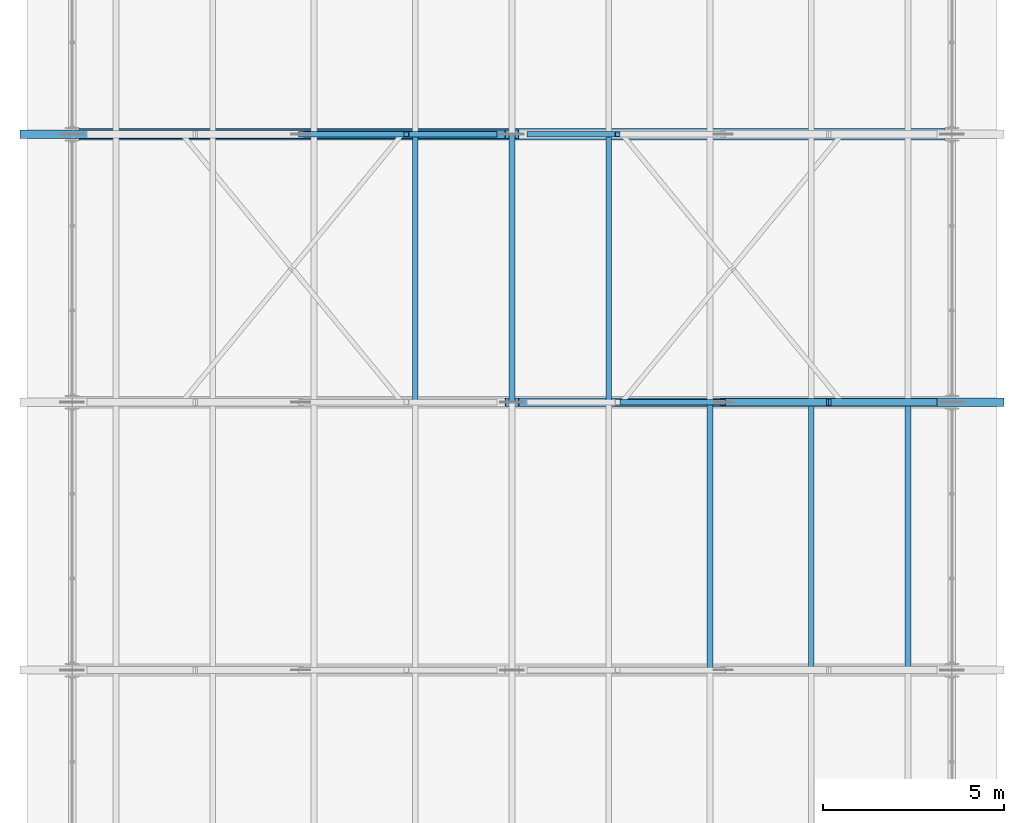
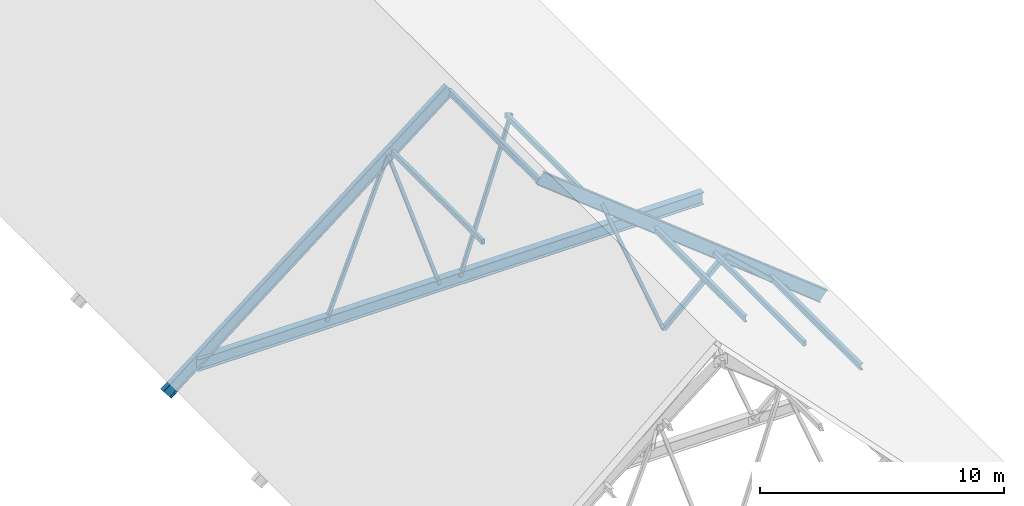
# One storey, part 17 of 44: 13 members, 2 beams.
"""IFC4 building model written with IfcOpenShell, lengths in metres."""

from ifc_helpers import new_model, si_unit, direction, frame, origin, origin_2d, place, context, subcontext, project, spatial, hollow_rectangle, i_section, extrude, material, material_profile, profile_set, type_object, element, save


model = new_model("IFC4")

# Units and contexts
model_context = context("Model", 3, precision=1e-05, world=origin(), true_north=direction((0.0, 1.0)))
body_context = subcontext(model_context, "Body", "Model", "MODEL_VIEW")
ifc_project = project(units=[si_unit("LENGTHUNIT", "METRE"), si_unit("AREAUNIT", "SQUARE_METRE"), si_unit("VOLUMEUNIT", "CUBIC_METRE"), si_unit("PLANEANGLEUNIT", "RADIAN"), si_unit("MASSUNIT", "GRAM", prefix="KILO")], contexts=[model_context])

# Site, building, storey
site_placement = place(None, origin())
site = spatial("IfcSite", under=ifc_project, at=site_placement, CompositionType="ELEMENT")
building_placement = place(site_placement, origin())
building = spatial("IfcBuilding", under=site, at=building_placement, Name="Cimatlan Art Gallery", CompositionType="ELEMENT")
storey_placement = place(building_placement, frame((0.0, 0.0, 26.39990234375)))
storey = spatial("IfcBuildingStorey", under=building, at=storey_placement, Name="Roof", CompositionType="ELEMENT", Elevation=26.39990234375)

# Beams
ifc_material_1 = material(Name="Steel ASTM A992 Grade 50", Category="steel")
ifc_material_profile_1 = material_profile(ifc_material_1, i_section(OverallWidth=0.22802734375, OverallDepth=0.60791015625, WebThickness=0.01123046875, FlangeThickness=0.017333984375, at=origin_2d()), Name="W24X76")
ifc_profile_set_1 = profile_set([ifc_material_profile_1], Name="Steel ASTM A992 Grade 50")
beam_type = type_object("IfcBeamType", Name="BM-TRS-RAF", PredefinedType="BEAM", material=ifc_profile_set_1)
beam_1_placement = place(storey_placement, frame((87.050048828125, 46.10009765625, 11.0), z_axis=(0.784632771217, 0.0, -0.619960816772), x_axis=(0.0, 1.0, 0.0)))
element("IfcBeam", 1, at=beam_1_placement, inside=storey, type_object=beam_type, Name="TRS-04-RAF-E", PredefinedType="BEAM", context=body_context, shape_type="SweptSolid", body=[
    extrude(i_section(OverallWidth=0.22802734375, OverallDepth=0.60791015625, WebThickness=0.01123046875, FlangeThickness=0.017333984375, at=origin_2d()), origin(), (0.0, 0.0, 1.0), 17.077880859375),
])
beam_2_placement = place(storey_placement, frame((73.64990234375, 53.5, 0.412353515625), z_axis=(0.78463826569, 0.0, 0.619953862812), x_axis=(0.0, 1.0, 0.0)))
element("IfcBeam", 2, at=beam_2_placement, inside=storey, type_object=beam_type, Name="TRS-05-RAF-W", PredefinedType="BEAM", context=body_context, shape_type="SweptSolid", body=[
    extrude(i_section(OverallWidth=0.22802734375, OverallDepth=0.60791015625, WebThickness=0.01123046875, FlangeThickness=0.017333984375, at=origin_2d()), origin(), (0.0, 0.0, 1.0), 17.078125),
])

# Members
ifc_material_2 = material(Name="Steel ASTM A500 Grade C", Category="steel")
ifc_material_profile_2 = material_profile(ifc_material_2, hollow_rectangle(XDim=0.14990234375, YDim=0.25, WallThickness=0.010009765625, at=origin_2d()), Name="HSS250X150X10")
ifc_profile_set_2 = profile_set([ifc_material_profile_2], Name="Steel ASTM A500 Grade C")
member_type_1 = type_object("IfcMemberType", Name="MBR-PUR-C250", PredefinedType="PURLIN", material=ifc_profile_set_2)
member_1_placement = place(storey_placement, frame((95.31201171875, 38.699951171875, 4.31201171875), z_axis=(0.0, 1.0, 0.0), x_axis=(-1.0, 0.0, 0.0)))
element("IfcMember", 3, at=member_1_placement, inside=storey, type_object=member_type_1, Name="PUR-V1-B3-E3", PredefinedType="PURLIN", context=body_context, shape_type="SweptSolid", body=[
    extrude(hollow_rectangle(XDim=0.14990234375, YDim=0.25, WallThickness=0.010009765625, at=origin_2d()), origin(), (0.0, 0.0, 1.0), 7.400146484375),
])
for number, where, z_axis, x_axis, name in (
    (4, (84.376953125, 46.10009765625, 8.72802734375), (0.0, 1.0, 0.0), (-1.0, 0.0, 0.0), "PUR-V1-B4-W1"),
    (5, (89.722900390625, 46.10009765625, 8.72802734375), (0.0, 1.0, 0.0), (-1.0, 0.0, 0.0), "PUR-V1-B4-E1"),
):
    element("IfcMember", number, at=place(storey_placement, frame(where, z_axis=z_axis, x_axis=x_axis)), inside=storey, type_object=member_type_1, Name=name, PredefinedType="PURLIN", context=body_context, shape_type="SweptSolid", body=[
        extrude(hollow_rectangle(XDim=0.14990234375, YDim=0.25, WallThickness=0.010009765625, at=origin_2d()), origin(), (0.0, 0.0, 1.0), 7.39990234375),
    ])
ifc_material_profile_3 = material_profile(ifc_material_1, i_section(OverallWidth=0.1650390625, OverallDepth=0.31005859375, WebThickness=0.005859375, FlangeThickness=0.009765625, at=origin_2d()), Name="W12X26")
ifc_profile_set_3 = profile_set([ifc_material_profile_3], Name="Steel ASTM A992 Grade 50")
member_type_2 = type_object("IfcMemberType", Name="MBR-PUR-W12", PredefinedType="PURLIN", material=ifc_profile_set_3)
for number, where, z_axis, x_axis, name in (
    (6, (92.517578125, 38.699951171875, 6.52001953125), (0.0, 1.0, 0.0), (-1.0, 0.0, 0.0), "PUR-V1-B3-E2"),
    (7, (97.985107421875, 38.699951171875, 2.2001953125), (0.0, 1.0, 0.0), (-1.0, 0.0, 0.0), "PUR-V1-B3-E4"),
):
    element("IfcMember", number, at=place(storey_placement, frame(where, z_axis=z_axis, x_axis=x_axis)), inside=storey, type_object=member_type_2, Name=name, PredefinedType="PURLIN", context=body_context, shape_type="SweptSolid", body=[
        extrude(i_section(OverallWidth=0.1650390625, OverallDepth=0.31005859375, WebThickness=0.005859375, FlangeThickness=0.009765625, at=origin_2d()), origin(), (0.0, 0.0, 1.0), 7.400146484375),
    ])
member_2_placement = place(storey_placement, frame((87.050048828125, 46.10009765625, 10.820068359375), z_axis=(0.0, 1.0, 0.0), x_axis=(-1.0, 0.0, 0.0)))
element("IfcMember", 8, at=member_2_placement, inside=storey, type_object=member_type_2, Name="PUR-V1-B4-RDG", PredefinedType="PURLIN", context=body_context, shape_type="SweptSolid", body=[
    extrude(i_section(OverallWidth=0.1650390625, OverallDepth=0.31005859375, WebThickness=0.005859375, FlangeThickness=0.009765625, at=origin_2d()), origin(), (0.0, 0.0, 1.0), 7.39990234375),
])
ifc_material_profile_4 = material_profile(ifc_material_2, hollow_rectangle(XDim=0.199951171875, YDim=0.199951171875, WallThickness=0.010009765625, at=origin_2d()), Name="HSS200X200X10")
ifc_profile_set_4 = profile_set([ifc_material_profile_4], Name="Steel ASTM A500 Grade C")
member_type_3 = type_object("IfcMemberType", Name="MBR-TRS-DIAG-1", PredefinedType="BRACE", material=ifc_profile_set_4)
for number, where, z_axis, x_axis, name in (
    (9, (98.714111328125, 46.10009765625, 1.400146484375), (-0.735270574228, 0.0, 0.677773695768), (0.0, -1.0, 0.0), "TRS-04-DE-1"),
    (10, (95.798095703125, 46.10009765625, 4.088134765625), (-0.735270574228, 0.0, -0.677773695768), (0.0, -1.0, 0.0), "TRS-04-DE-2"),
):
    element("IfcMember", number, at=place(storey_placement, frame(where, z_axis=z_axis, x_axis=x_axis)), inside=storey, type_object=member_type_3, Name=name, PredefinedType="BRACE", context=body_context, shape_type="SweptSolid", body=[
        extrude(hollow_rectangle(XDim=0.199951171875, YDim=0.199951171875, WallThickness=0.010009765625, at=origin_2d()), origin(), (0.0, 0.0, 1.0), 3.9658203125),
    ])
ifc_material_profile_5 = material_profile(ifc_material_2, hollow_rectangle(XDim=0.14990234375, YDim=0.14990234375, WallThickness=0.008056640625, at=origin_2d()), Name="HSS150X150X8")
ifc_profile_set_5 = profile_set([ifc_material_profile_5], Name="Steel ASTM A500 Grade C")
member_type_4 = type_object("IfcMemberType", Name="MBR-TRS-DIAG-2", PredefinedType="BRACE", material=ifc_profile_set_5)
for number, where, z_axis, x_axis, name in (
    (11, (92.882080078125, 46.10009765625, 1.400146484375), (-0.371133507913, 0.0, 0.928579516953), (0.0, -1.0, 0.0), "TRS-04-DE-3"),
    (12, (81.218017578125, 53.5, 1.400146484375), (0.371133507913, 0.0, 0.928579516953), (0.0, 1.0, 0.0), "TRS-05-DW-3"),
):
    element("IfcMember", number, at=place(storey_placement, frame(where, z_axis=z_axis, x_axis=x_axis)), inside=storey, type_object=member_type_4, Name=name, PredefinedType="BRACE", context=body_context, shape_type="SweptSolid", body=[
        extrude(hollow_rectangle(XDim=0.14990234375, YDim=0.14990234375, WallThickness=0.008056640625, at=origin_2d()), origin(), (0.0, 0.0, 1.0), 7.85693359375),
    ])
for number, where, z_axis, x_axis, name in (
    (13, (84.134033203125, 53.5, 8.696044921875), (0.315989644699, 0.0, -0.948762638621), (0.0, 1.0, 0.0), "TRS-05-DW-4"),
    (14, (89.966064453125, 53.5, 8.696044921875), (-0.316018222412, 0.0, -0.948753120208), (0.0, -1.0, 0.0), "TRS-05-DE-4"),
):
    element("IfcMember", number, at=place(storey_placement, frame(where, z_axis=z_axis, x_axis=x_axis)), inside=storey, type_object=member_type_4, Name=name, PredefinedType="BRACE", context=body_context, shape_type="SweptSolid", body=[
        extrude(hollow_rectangle(XDim=0.14990234375, YDim=0.14990234375, WallThickness=0.008056640625, at=origin_2d()), origin(), (0.0, 0.0, 1.0), 7.68994140625),
    ])
ifc_material_profile_6 = material_profile(ifc_material_1, i_section(OverallWidth=0.323974609375, OverallDepth=0.611083984375, WebThickness=0.0126953125, FlangeThickness=0.01904296875, at=origin_2d()), Name="W24X104")
ifc_profile_set_6 = profile_set([ifc_material_profile_6], Name="Steel ASTM A992 Grade 50")
member_type_5 = type_object("IfcMemberType", Name="MBR-TRS-TIE", PredefinedType="CHORD", material=ifc_profile_set_6)
member_3_placement = place(storey_placement, frame((75.096923828125, 53.5, 1.400146484375), z_axis=(1.0, 0.0, 0.0), x_axis=(0.0, 1.0, 0.0)))
element("IfcMember", 15, at=member_3_placement, inside=storey, type_object=member_type_5, Name="TRS-05-TIE", PredefinedType="CHORD", context=body_context, shape_type="SweptSolid", body=[
    extrude(i_section(OverallWidth=0.323974609375, OverallDepth=0.611083984375, WebThickness=0.0126953125, FlangeThickness=0.01904296875, at=origin_2d()), origin(), (0.0, 0.0, 1.0), 23.906005859375),
])

save(model, "model.ifc")
